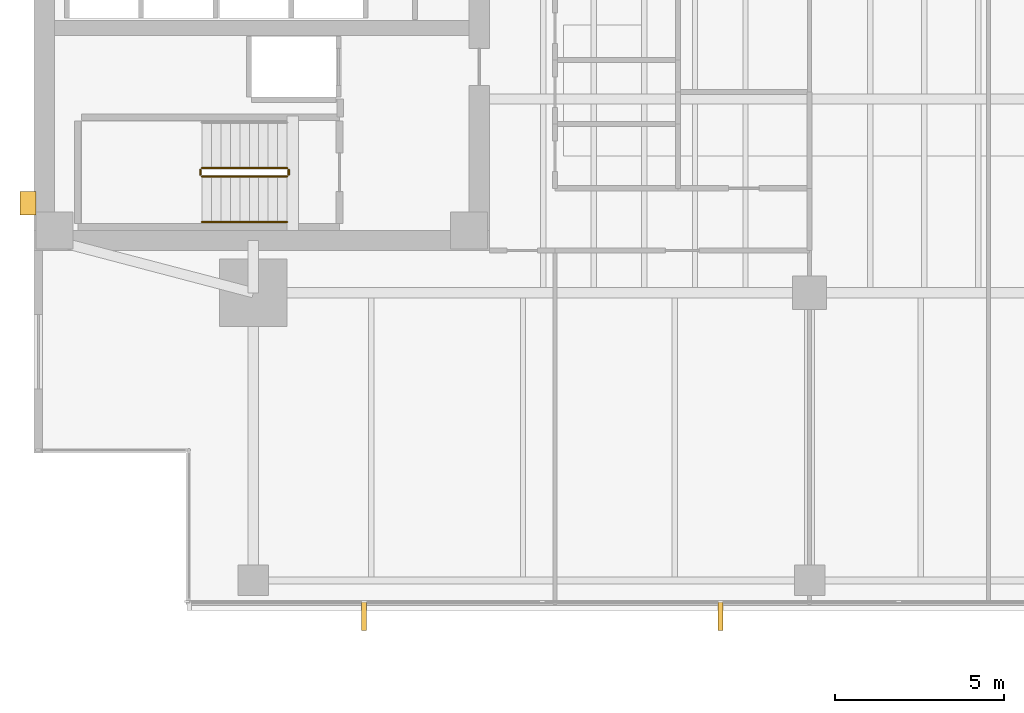
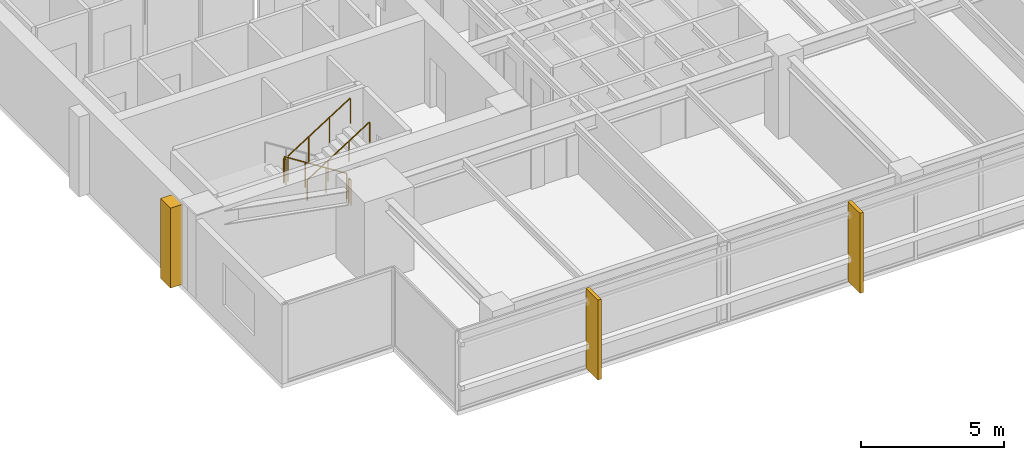
# One storey, part 11 of 14: 5 railings, 3 coverings.
"""IFC4 building model written with IfcOpenShell, lengths in metres."""

from ifc_helpers import new_model, si_unit, direction, frame, origin, origin_2d, place, context, subcontext, project, spatial, polyline, circle, outline, extrude, material, layer, layer_set, type_object, element, save


model = new_model("IFC4")

# Units and contexts
model_context = context("Model", 3, precision=1e-05, world=origin(), true_north=direction((0.0, 1.0)))
body_context = subcontext(model_context, "Body", "Model", "MODEL_VIEW")
ifc_project = project(units=[si_unit("LENGTHUNIT", "METRE"), si_unit("AREAUNIT", "SQUARE_METRE"), si_unit("VOLUMEUNIT", "CUBIC_METRE"), si_unit("PLANEANGLEUNIT", "RADIAN"), si_unit("MASSUNIT", "GRAM", prefix="KILO")], contexts=[model_context])

# Site, building, storey
site_placement = place(None, origin())
site = spatial("IfcSite", under=ifc_project, at=site_placement, CompositionType="ELEMENT")
building_placement = place(site_placement, origin())
building = spatial("IfcBuilding", under=site, at=building_placement, Name="Kinhvarn Gate Tower", CompositionType="ELEMENT")
storey_placement = place(building_placement, frame((0.0, 0.0, 134.199951171875)))
storey = spatial("IfcBuildingStorey", under=building, at=storey_placement, Name="L35", CompositionType="ELEMENT", Elevation=134.199951171875)

# Coverings
ifc_material_1 = material(Name="Fired architectural terracotta", Category="masonry")
ifc_layer_1 = layer(ifc_material_1, 0.139892578125)
ifc_layer_set_1 = layer_set([ifc_layer_1], Name="Fired architectural terracotta")
covering_type_1 = type_object("IfcCoveringType", Name="COV-FIN-850", PredefinedType="CLADDING", material=ifc_layer_set_1)
covering_1_placement = place(storey_placement, frame((0.0, 0.0, -0.02001953125)))
element("IfcCovering", 1, at=covering_1_placement, inside=storey, type_object=covering_type_1, Name="Vertical Terracotta Expressive Fin TFN-850 (L35)", PredefinedType="CLADDING", context=body_context, shape_type="SweptSolid", body=[
    extrude(outline(polyline([(14.2158203125, 3.580078125), (14.355712890625, 3.580078125), (14.355712890625, 2.72998046875), (14.2158203125, 2.72998046875), (14.2158203125, 3.580078125)])), origin(), (0.0, 0.0, 1.0), 3.41015625),
])
covering_2_placement = place(storey_placement, frame((0.0, 0.0, -0.02001953125)))
element("IfcCovering", 2, at=covering_2_placement, inside=storey, type_object=covering_type_1, Name="Vertical Terracotta Expressive Fin TFN-850 (L35)", PredefinedType="CLADDING", context=body_context, shape_type="SweptSolid", body=[
    extrude(outline(polyline([(24.787109375, 3.580078125), (24.927001953125, 3.580078125), (24.927001953125, 2.72998046875), (24.787109375, 2.72998046875), (24.787109375, 3.580078125)])), origin(), (0.0, 0.0, 1.0), 3.41015625),
])
ifc_material_2 = material(Name="Precast white architectural concrete C40/50", Category="concrete")
ifc_layer_2 = layer(ifc_material_2, 0.47998046875)
ifc_layer_set_2 = layer_set([ifc_layer_2], Name="Precast white architectural concrete C40/50")
covering_type_2 = type_object("IfcCoveringType", Name="COV-RIB-450", PredefinedType="CLADDING", material=ifc_layer_set_2)
covering_3_placement = place(storey_placement, frame((0.0, 0.0, -0.02001953125)))
element("IfcCovering", 3, at=covering_3_placement, inside=storey, type_object=covering_type_2, Name="West Core Sculptural Concrete Relief Rib CRB-450 (L35)", PredefinedType="CLADDING", context=body_context, shape_type="SweptSolid", body=[
    extrude(outline(polyline([(4.080078125, 15.050048828125), (4.56005859375, 15.050048828125), (4.56005859375, 15.75), (4.080078125, 15.75), (4.080078125, 15.050048828125)])), origin(), (0.0, 0.0, 1.0), 3.41015625),
])

# Railings
ifc_material_3 = material(Name="Steel S355", Category="steel")
railing_type_1 = type_object("IfcRailingType", Name="RL-ST-GRD", PredefinedType="BALUSTRADE", material=ifc_material_3)
railing_1_placement = place(storey_placement, frame((12.0, 16.449951171875, 0.177490234375)))
element("IfcRailing", 4, at=railing_1_placement, inside=storey, type_object=railing_type_1, Name="L35 ST1 stair guard 1", PredefinedType="BALUSTRADE", context=body_context, shape_type="SweptSolid", body=[
    extrude(circle(Radius=0.02392578125, at=origin_2d()), frame((0.0, 0.0, 1.076171875), z_axis=(-0.84456994832, 0.0, 0.535445237532), x_axis=(0.0, -1.0, 0.0)), (0.0, 0.0, 1.0), 2.98388671875),
    extrude(circle(Radius=0.02099609375, at=origin_2d()), origin(), (0.0, 0.0, 1.0), 1.052001953125),
    extrude(circle(Radius=0.02099609375, at=origin_2d()), frame((-0.840087890625, 0.0, 0.532470703125)), (0.0, 0.0, 1.0), 1.052001953125),
    extrude(circle(Radius=0.02099609375, at=origin_2d()), frame((-1.679931640625, 0.0, 1.065185546875)), (0.0, 0.0, 1.0), 1.052001953125),
    extrude(circle(Radius=0.02099609375, at=origin_2d()), frame((-2.52001953125, 0.0, 1.59765625)), (0.0, 0.0, 1.0), 1.052001953125),
])
railing_2_placement = place(storey_placement, frame((9.429931640625, 16.39990234375, 1.775146484375)))
element("IfcRailing", 5, at=railing_2_placement, inside=storey, type_object=railing_type_1, Name="L35 ST1 stair guard 2", PredefinedType="BALUSTRADE", context=body_context, shape_type="SweptSolid", body=[
    extrude(circle(Radius=0.02392578125, at=origin_2d()), frame((0.0, 0.0, 1.076171875), z_axis=(0.0, -1.0, 0.0), x_axis=(1.0, 0.0, 0.0)), (0.0, 0.0, 1.0), 0.14990234375),
    extrude(circle(Radius=0.02099609375, at=origin_2d()), origin(), (0.0, 0.0, 1.0), 1.052001953125),
    extrude(circle(Radius=0.02099609375, at=origin_2d()), frame((0.0, -0.14990234375, 0.0)), (0.0, 0.0, 1.0), 1.052001953125),
])
railing_3_placement = place(storey_placement, frame((9.47998046875, 16.199951171875, 1.95263671875)))
element("IfcRailing", 6, at=railing_3_placement, inside=storey, type_object=railing_type_1, Name="L35 ST1 stair guard 3", PredefinedType="BALUSTRADE", context=body_context, shape_type="SweptSolid", body=[
    extrude(circle(Radius=0.02392578125, at=origin_2d()), frame((0.0, 0.0, 1.076171875), z_axis=(0.84460694969, 0.0, 0.535386869969), x_axis=(0.0, 1.0, 0.0)), (0.0, 0.0, 1.0), 2.983642578125),
    extrude(circle(Radius=0.02099609375, at=origin_2d()), origin(), (0.0, 0.0, 1.0), 1.052001953125),
    extrude(circle(Radius=0.02099609375, at=origin_2d()), frame((0.840087890625, 0.0, 0.532470703125)), (0.0, 0.0, 1.0), 1.052001953125),
    extrude(circle(Radius=0.02099609375, at=origin_2d()), frame((1.679931640625, 0.0, 1.06494140625)), (0.0, 0.0, 1.0), 1.052001953125),
    extrude(circle(Radius=0.02099609375, at=origin_2d()), frame((2.52001953125, 0.0, 1.597412109375)), (0.0, 0.0, 1.0), 1.052001953125),
])
railing_4_placement = place(storey_placement, frame((12.050048828125, 16.39990234375, 0.0)))
element("IfcRailing", 7, at=railing_4_placement, inside=storey, type_object=railing_type_1, Name="L35 ST1 stair guard 4", PredefinedType="BALUSTRADE", context=body_context, shape_type="SweptSolid", body=[
    extrude(circle(Radius=0.02392578125, at=origin_2d()), frame((0.0, 0.0, 1.076171875), z_axis=(0.0, -1.0, 0.0), x_axis=(1.0, 0.0, 0.0)), (0.0, 0.0, 1.0), 0.14990234375),
    extrude(circle(Radius=0.02099609375, at=origin_2d()), origin(), (0.0, 0.0, 1.0), 1.052001953125),
    extrude(circle(Radius=0.02099609375, at=origin_2d()), frame((0.0, -0.14990234375, 0.0)), (0.0, 0.0, 1.0), 1.052001953125),
])
railing_type_2 = type_object("IfcRailingType", Name="RL-ST-HND", PredefinedType="HANDRAIL", material=ifc_material_3)
railing_5_placement = place(storey_placement, frame((9.47998046875, 14.85009765625, 1.95263671875)))
element("IfcRailing", 8, at=railing_5_placement, inside=storey, type_object=railing_type_2, Name="L35 ST1 stair handrail 2", PredefinedType="HANDRAIL", context=body_context, shape_type="SweptSolid", body=[
    extrude(circle(Radius=0.02392578125, at=origin_2d()), frame((0.0, 0.0, 0.8759765625), z_axis=(0.84460694969, 0.0, 0.535386869969), x_axis=(0.0, 1.0, 0.0)), (0.0, 0.0, 1.0), 2.983642578125),
    extrude(circle(Radius=0.02099609375, at=origin_2d()), origin(), (0.0, 0.0, 1.0), 0.851806640625),
    extrude(circle(Radius=0.02099609375, at=origin_2d()), frame((0.840087890625, 0.0, 0.532470703125)), (0.0, 0.0, 1.0), 0.851806640625),
    extrude(circle(Radius=0.02099609375, at=origin_2d()), frame((1.679931640625, 0.0, 1.06494140625)), (0.0, 0.0, 1.0), 0.851806640625),
    extrude(circle(Radius=0.02099609375, at=origin_2d()), frame((2.52001953125, 0.0, 1.597412109375)), (0.0, 0.0, 1.0), 0.851806640625),
])

save(model, "model.ifc")
